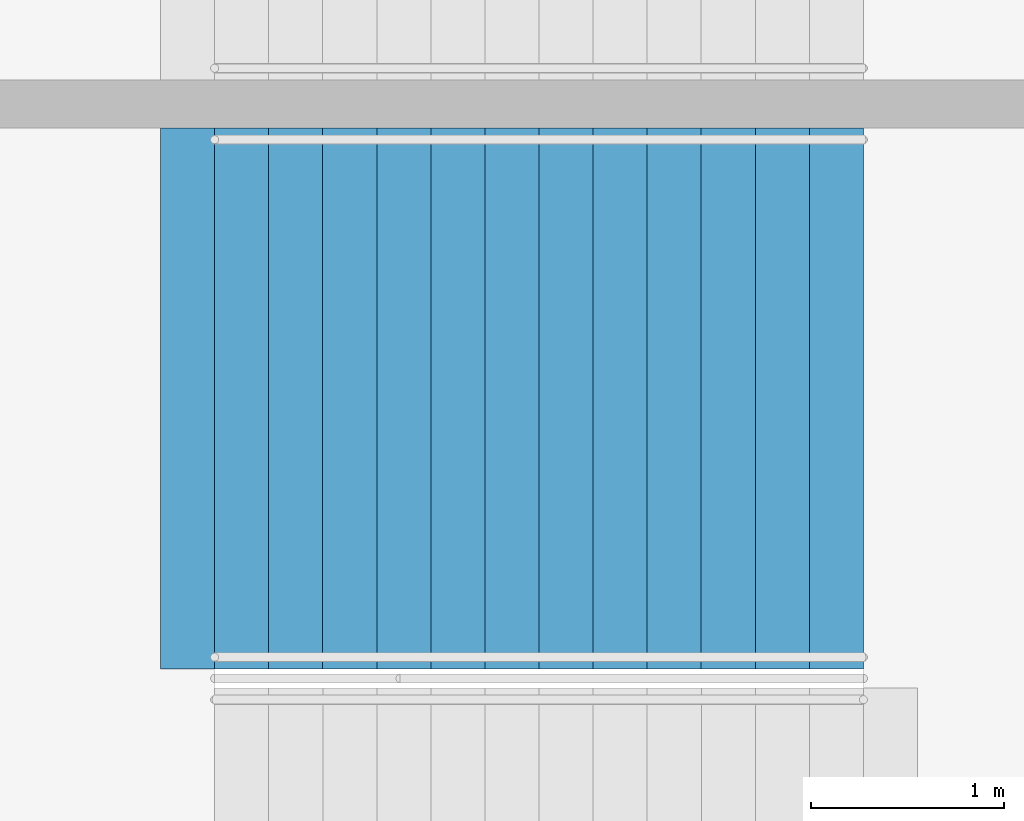
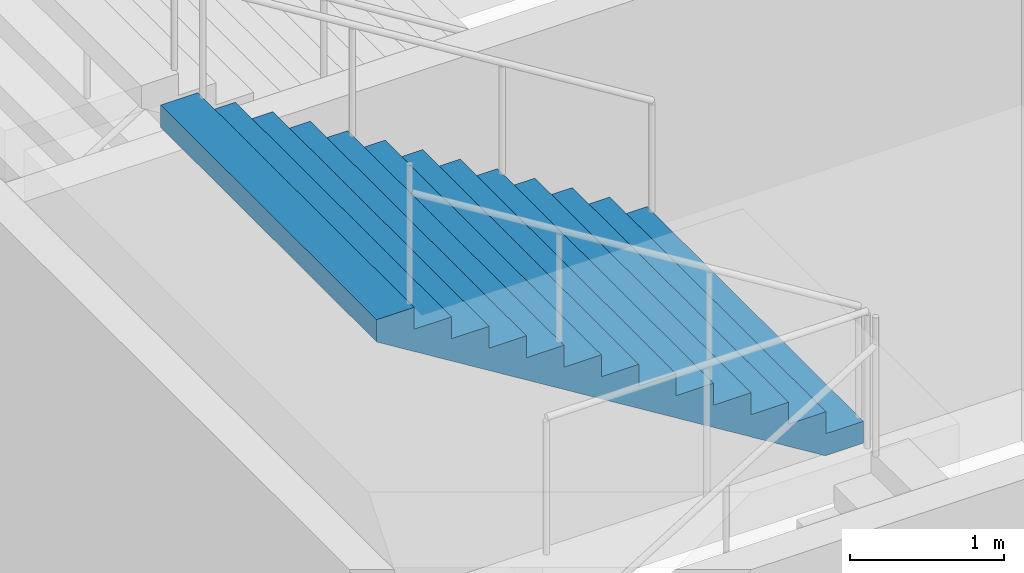
# One storey, part 147 of 199: 1 stair flight, 1 element without a shape of its own.
"""IFC4 building model written with IfcOpenShell, lengths in metres."""

from ifc_helpers import new_model, si_unit, direction, frame, origin, place, context, subcontext, project, spatial, faceted_brep, material, type_object, element, aggregate, save


model = new_model("IFC4")

# Units and contexts
model_context = context("Model", 3, precision=1e-05, world=origin(), true_north=direction((0.0, 1.0)))
body_context = subcontext(model_context, "Body", "Model", "MODEL_VIEW")
ifc_project = project(units=[si_unit("LENGTHUNIT", "METRE"), si_unit("AREAUNIT", "SQUARE_METRE"), si_unit("VOLUMEUNIT", "CUBIC_METRE"), si_unit("PLANEANGLEUNIT", "RADIAN"), si_unit("MASSUNIT", "GRAM", prefix="KILO")], contexts=[model_context])

# Site, building, storey
site_placement = place(None, origin())
site = spatial("IfcSite", under=ifc_project, at=site_placement, CompositionType="ELEMENT")
building_placement = place(site_placement, origin())
building = spatial("IfcBuilding", under=site, at=building_placement, Name="Ogive Plaza Stadium", CompositionType="ELEMENT")
storey_placement = place(building_placement, frame((0.0, 0.0, 9.0)))
storey = spatial("IfcBuildingStorey", under=building, at=storey_placement, Name="L02", CompositionType="ELEMENT", Elevation=9.0)

# Stair, stair flight
ifc_material_1 = material(Name="Concrete C40/50", Category="concrete")
stair_type = type_object("IfcStairType", Name="Exit stair", PredefinedType="STRAIGHT_RUN_STAIR", material=ifc_material_1)
stair_placement = place(storey_placement, origin())
stair = element("IfcStair", 1, at=stair_placement, inside=storey, type_object=stair_type, Name="Exit stair ST04A L02 to L03", PredefinedType="STRAIGHT_RUN_STAIR")
ifc_material_2 = material(Name="Concrete C40/50", Category="concrete")
stair_flight_type = type_object("IfcStairFlightType", Name="Exit stair flight", PredefinedType="STRAIGHT", material=ifc_material_2)
stair_flight_placement = place(storey_placement, frame((79.7099609375, 5.97509765625, 2.25), z_axis=(0.0, 0.0, 1.0), x_axis=(-1.0, 0.0, 0.0)))
stair_flight = element("IfcStairFlight", 2, at=stair_flight_placement, type_object=stair_flight_type, Name="ST04A flight 2", NumberOfRisers=13, NumberOfTreads=12, PredefinedType="STRAIGHT", RiserHeight=0.173076923, TreadLength=0.28, context=body_context, shape_type="Brep", body=[
    faceted_brep([(0.28515625, -1.39990234375, 0.0), (3.639892578125, -1.39990234375, 2.07373046875), (3.639892578125, -1.39990234375, 2.25), (3.360107421875, -1.39990234375, 2.25), (3.360107421875, -1.39990234375, 2.076904296875), (3.080078125, -1.39990234375, 2.076904296875), (3.080078125, -1.39990234375, 1.90380859375), (2.800048828125, -1.39990234375, 1.90380859375), (2.800048828125, -1.39990234375, 1.730712890625), (2.52001953125, -1.39990234375, 1.730712890625), (2.52001953125, -1.39990234375, 1.5576171875), (2.239990234375, -1.39990234375, 1.5576171875), (2.239990234375, -1.39990234375, 1.384521484375), (1.9599609375, -1.39990234375, 1.384521484375), (1.9599609375, -1.39990234375, 1.21142578125), (1.679931640625, -1.39990234375, 1.21142578125), (1.679931640625, -1.39990234375, 1.03857421875), (1.39990234375, -1.39990234375, 1.03857421875), (1.39990234375, -1.39990234375, 0.865478515625), (1.1201171875, -1.39990234375, 0.865478515625), (1.1201171875, -1.39990234375, 0.6923828125), (0.840087890625, -1.39990234375, 0.6923828125), (0.840087890625, -1.39990234375, 0.519287109375), (0.56005859375, -1.39990234375, 0.519287109375), (0.56005859375, -1.39990234375, 0.34619140625), (0.280029296875, -1.39990234375, 0.34619140625), (0.280029296875, -1.39990234375, 0.173095703125), (0.0, -1.39990234375, 0.173095703125), (0.0, -1.39990234375, 0.0), (0.0, 1.39990234375, 0.0), (0.0, 1.39990234375, 0.173095703125), (0.280029296875, 1.39990234375, 0.173095703125), (0.280029296875, 1.39990234375, 0.34619140625), (0.56005859375, 1.39990234375, 0.34619140625), (0.56005859375, 1.39990234375, 0.519287109375), (0.840087890625, 1.39990234375, 0.519287109375), (0.840087890625, 1.39990234375, 0.6923828125), (1.1201171875, 1.39990234375, 0.6923828125), (1.1201171875, 1.39990234375, 0.865478515625), (1.39990234375, 1.39990234375, 0.865478515625), (1.39990234375, 1.39990234375, 1.03857421875), (1.679931640625, 1.39990234375, 1.03857421875), (1.679931640625, 1.39990234375, 1.21142578125), (1.9599609375, 1.39990234375, 1.21142578125), (1.9599609375, 1.39990234375, 1.384521484375), (2.239990234375, 1.39990234375, 1.384521484375), (2.239990234375, 1.39990234375, 1.5576171875), (2.52001953125, 1.39990234375, 1.5576171875), (2.52001953125, 1.39990234375, 1.730712890625), (2.800048828125, 1.39990234375, 1.730712890625), (2.800048828125, 1.39990234375, 1.90380859375), (3.080078125, 1.39990234375, 1.90380859375), (3.080078125, 1.39990234375, 2.076904296875), (3.360107421875, 1.39990234375, 2.076904296875), (3.360107421875, 1.39990234375, 2.25), (3.639892578125, 1.39990234375, 2.25), (3.639892578125, 1.39990234375, 2.07373046875), (0.28515625, 1.39990234375, 0.0), (0.28515625, -1.0888671875, 0.0), (3.639892578125, -1.0888671875, 2.07373046875), (0.28515625, -0.77783203125, 0.0), (3.639892578125, -0.77783203125, 2.07373046875), (0.28515625, -0.466796875, 0.0), (3.639892578125, -0.466796875, 2.07373046875), (0.28515625, -0.155517578125, 0.0), (3.639892578125, -0.155517578125, 2.07373046875), (0.28515625, 0.155517578125, 0.0), (3.639892578125, 0.155517578125, 2.07373046875), (0.28515625, 0.466796875, 0.0), (3.639892578125, 0.466796875, 2.07373046875), (0.28515625, 0.77783203125, 0.0), (3.639892578125, 0.77783203125, 2.07373046875), (0.28515625, 1.0888671875, 0.0), (3.639892578125, 1.0888671875, 2.07373046875), (3.639892578125, -1.0888671875, 2.25), (3.639892578125, -0.77783203125, 2.25), (3.639892578125, -0.466796875, 2.25), (3.639892578125, -0.155517578125, 2.25), (3.639892578125, 0.155517578125, 2.25), (3.639892578125, 0.466796875, 2.25), (3.639892578125, 0.77783203125, 2.25), (3.639892578125, 1.0888671875, 2.25), (3.360107421875, -1.0888671875, 2.25), (3.360107421875, -0.77783203125, 2.25), (3.360107421875, -0.466796875, 2.25), (3.360107421875, -0.155517578125, 2.25), (3.360107421875, 0.155517578125, 2.25), (3.360107421875, 0.466796875, 2.25), (3.360107421875, 0.77783203125, 2.25), (3.360107421875, 1.0888671875, 2.25), (3.360107421875, -1.0888671875, 2.076904296875), (3.360107421875, -0.77783203125, 2.076904296875), (3.360107421875, -0.466796875, 2.076904296875), (3.360107421875, -0.155517578125, 2.076904296875), (3.360107421875, 0.155517578125, 2.076904296875), (3.360107421875, 0.466796875, 2.076904296875), (3.360107421875, 0.77783203125, 2.076904296875), (3.360107421875, 1.0888671875, 2.076904296875), (3.080078125, -1.0888671875, 2.076904296875), (3.080078125, -0.77783203125, 2.076904296875), (3.080078125, -0.466796875, 2.076904296875), (3.080078125, -0.155517578125, 2.076904296875), (3.080078125, 0.155517578125, 2.076904296875), (3.080078125, 0.466796875, 2.076904296875), (3.080078125, 0.77783203125, 2.076904296875), (3.080078125, 1.0888671875, 2.076904296875), (3.080078125, -1.0888671875, 1.90380859375), (3.080078125, -0.77783203125, 1.90380859375), (3.080078125, -0.466796875, 1.90380859375), (3.080078125, -0.155517578125, 1.90380859375), (3.080078125, 0.155517578125, 1.90380859375), (3.080078125, 0.466796875, 1.90380859375), (3.080078125, 0.77783203125, 1.90380859375), (3.080078125, 1.0888671875, 1.90380859375), (2.800048828125, -1.0888671875, 1.90380859375), (2.800048828125, -0.77783203125, 1.90380859375), (2.800048828125, -0.466796875, 1.90380859375), (2.800048828125, -0.155517578125, 1.90380859375), (2.800048828125, 0.155517578125, 1.90380859375), (2.800048828125, 0.466796875, 1.90380859375), (2.800048828125, 0.77783203125, 1.90380859375), (2.800048828125, 1.0888671875, 1.90380859375), (2.800048828125, -1.0888671875, 1.730712890625), (2.800048828125, -0.77783203125, 1.730712890625), (2.800048828125, -0.466796875, 1.730712890625), (2.800048828125, -0.155517578125, 1.730712890625), (2.800048828125, 0.155517578125, 1.730712890625), (2.800048828125, 0.466796875, 1.730712890625), (2.800048828125, 0.77783203125, 1.730712890625), (2.800048828125, 1.0888671875, 1.730712890625), (2.52001953125, -1.0888671875, 1.730712890625), (2.52001953125, -0.77783203125, 1.730712890625), (2.52001953125, -0.466796875, 1.730712890625), (2.52001953125, -0.155517578125, 1.730712890625), (2.52001953125, 0.155517578125, 1.730712890625), (2.52001953125, 0.466796875, 1.730712890625), (2.52001953125, 0.77783203125, 1.730712890625), (2.52001953125, 1.0888671875, 1.730712890625), (2.52001953125, -1.0888671875, 1.5576171875), (2.52001953125, -0.77783203125, 1.5576171875), (2.52001953125, -0.466796875, 1.5576171875), (2.52001953125, -0.155517578125, 1.5576171875), (2.52001953125, 0.155517578125, 1.5576171875), (2.52001953125, 0.466796875, 1.5576171875), (2.52001953125, 0.77783203125, 1.5576171875), (2.52001953125, 1.0888671875, 1.5576171875), (2.239990234375, -1.0888671875, 1.5576171875), (2.239990234375, -0.77783203125, 1.5576171875), (2.239990234375, -0.466796875, 1.5576171875), (2.239990234375, -0.155517578125, 1.5576171875), (2.239990234375, 0.155517578125, 1.5576171875), (2.239990234375, 0.466796875, 1.5576171875), (2.239990234375, 0.77783203125, 1.5576171875), (2.239990234375, 1.0888671875, 1.5576171875), (2.239990234375, -1.0888671875, 1.384521484375), (2.239990234375, -0.77783203125, 1.384521484375), (2.239990234375, -0.466796875, 1.384521484375), (2.239990234375, -0.155517578125, 1.384521484375), (2.239990234375, 0.155517578125, 1.384521484375), (2.239990234375, 0.466796875, 1.384521484375), (2.239990234375, 0.77783203125, 1.384521484375), (2.239990234375, 1.0888671875, 1.384521484375), (1.9599609375, -1.0888671875, 1.384521484375), (1.9599609375, -0.77783203125, 1.384521484375), (1.9599609375, -0.466796875, 1.384521484375), (1.9599609375, -0.155517578125, 1.384521484375), (1.9599609375, 0.155517578125, 1.384521484375), (1.9599609375, 0.466796875, 1.384521484375), (1.9599609375, 0.77783203125, 1.384521484375), (1.9599609375, 1.0888671875, 1.384521484375), (1.9599609375, -1.0888671875, 1.21142578125), (1.9599609375, -0.77783203125, 1.21142578125), (1.9599609375, -0.466796875, 1.21142578125), (1.9599609375, -0.155517578125, 1.21142578125), (1.9599609375, 0.155517578125, 1.21142578125), (1.9599609375, 0.466796875, 1.21142578125), (1.9599609375, 0.77783203125, 1.21142578125), (1.9599609375, 1.0888671875, 1.21142578125), (1.679931640625, -1.0888671875, 1.21142578125), (1.679931640625, -0.77783203125, 1.21142578125), (1.679931640625, -0.466796875, 1.21142578125), (1.679931640625, -0.155517578125, 1.21142578125), (1.679931640625, 0.155517578125, 1.21142578125), (1.679931640625, 0.466796875, 1.21142578125), (1.679931640625, 0.77783203125, 1.21142578125), (1.679931640625, 1.0888671875, 1.21142578125), (1.679931640625, -1.0888671875, 1.03857421875), (1.679931640625, -0.77783203125, 1.03857421875), (1.679931640625, -0.466796875, 1.03857421875), (1.679931640625, -0.155517578125, 1.03857421875), (1.679931640625, 0.155517578125, 1.03857421875), (1.679931640625, 0.466796875, 1.03857421875), (1.679931640625, 0.77783203125, 1.03857421875), (1.679931640625, 1.0888671875, 1.03857421875), (1.39990234375, -1.0888671875, 1.03857421875), (1.39990234375, -0.77783203125, 1.03857421875), (1.39990234375, -0.466796875, 1.03857421875), (1.39990234375, -0.155517578125, 1.03857421875), (1.39990234375, 0.155517578125, 1.03857421875), (1.39990234375, 0.466796875, 1.03857421875), (1.39990234375, 0.77783203125, 1.03857421875), (1.39990234375, 1.0888671875, 1.03857421875), (1.39990234375, -1.0888671875, 0.865478515625), (1.39990234375, -0.77783203125, 0.865478515625), (1.39990234375, -0.466796875, 0.865478515625), (1.39990234375, -0.155517578125, 0.865478515625), (1.39990234375, 0.155517578125, 0.865478515625), (1.39990234375, 0.466796875, 0.865478515625), (1.39990234375, 0.77783203125, 0.865478515625), (1.39990234375, 1.0888671875, 0.865478515625), (1.1201171875, -1.0888671875, 0.865478515625), (1.1201171875, -0.77783203125, 0.865478515625), (1.1201171875, -0.466796875, 0.865478515625), (1.1201171875, -0.155517578125, 0.865478515625), (1.1201171875, 0.155517578125, 0.865478515625), (1.1201171875, 0.466796875, 0.865478515625), (1.1201171875, 0.77783203125, 0.865478515625), (1.1201171875, 1.0888671875, 0.865478515625), (1.1201171875, -1.0888671875, 0.6923828125), (1.1201171875, -0.77783203125, 0.6923828125), (1.1201171875, -0.466796875, 0.6923828125), (1.1201171875, -0.155517578125, 0.6923828125), (1.1201171875, 0.155517578125, 0.6923828125), (1.1201171875, 0.466796875, 0.6923828125), (1.1201171875, 0.77783203125, 0.6923828125), (1.1201171875, 1.0888671875, 0.6923828125), (0.840087890625, -1.0888671875, 0.6923828125), (0.840087890625, -0.77783203125, 0.6923828125), (0.840087890625, -0.466796875, 0.6923828125), (0.840087890625, -0.155517578125, 0.6923828125), (0.840087890625, 0.155517578125, 0.6923828125), (0.840087890625, 0.466796875, 0.6923828125), (0.840087890625, 0.77783203125, 0.6923828125), (0.840087890625, 1.0888671875, 0.6923828125), (0.840087890625, -1.0888671875, 0.519287109375), (0.840087890625, -0.77783203125, 0.519287109375), (0.840087890625, -0.466796875, 0.519287109375), (0.840087890625, -0.155517578125, 0.519287109375), (0.840087890625, 0.155517578125, 0.519287109375), (0.840087890625, 0.466796875, 0.519287109375), (0.840087890625, 0.77783203125, 0.519287109375), (0.840087890625, 1.0888671875, 0.519287109375), (0.56005859375, -1.0888671875, 0.519287109375), (0.56005859375, -0.77783203125, 0.519287109375), (0.56005859375, -0.466796875, 0.519287109375), (0.56005859375, -0.155517578125, 0.519287109375), (0.56005859375, 0.155517578125, 0.519287109375), (0.56005859375, 0.466796875, 0.519287109375), (0.56005859375, 0.77783203125, 0.519287109375), (0.56005859375, 1.0888671875, 0.519287109375), (0.56005859375, -1.0888671875, 0.34619140625), (0.56005859375, -0.77783203125, 0.34619140625), (0.56005859375, -0.466796875, 0.34619140625), (0.56005859375, -0.155517578125, 0.34619140625), (0.56005859375, 0.155517578125, 0.34619140625), (0.56005859375, 0.466796875, 0.34619140625), (0.56005859375, 0.77783203125, 0.34619140625), (0.56005859375, 1.0888671875, 0.34619140625), (0.280029296875, -1.0888671875, 0.34619140625), (0.280029296875, -0.77783203125, 0.34619140625), (0.280029296875, -0.466796875, 0.34619140625), (0.280029296875, -0.155517578125, 0.34619140625), (0.280029296875, 0.155517578125, 0.34619140625), (0.280029296875, 0.466796875, 0.34619140625), (0.280029296875, 0.77783203125, 0.34619140625), (0.280029296875, 1.0888671875, 0.34619140625), (0.280029296875, -1.0888671875, 0.173095703125), (0.280029296875, -0.77783203125, 0.173095703125), (0.280029296875, -0.466796875, 0.173095703125), (0.280029296875, -0.155517578125, 0.173095703125), (0.280029296875, 0.155517578125, 0.173095703125), (0.280029296875, 0.466796875, 0.173095703125), (0.280029296875, 0.77783203125, 0.173095703125), (0.280029296875, 1.0888671875, 0.173095703125), (0.0, -1.0888671875, 0.173095703125), (0.0, -0.77783203125, 0.173095703125), (0.0, -0.466796875, 0.173095703125), (0.0, -0.155517578125, 0.173095703125), (0.0, 0.155517578125, 0.173095703125), (0.0, 0.466796875, 0.173095703125), (0.0, 0.77783203125, 0.173095703125), (0.0, 1.0888671875, 0.173095703125), (0.0, -1.0888671875, 0.0), (0.0, -0.77783203125, 0.0), (0.0, -0.466796875, 0.0), (0.0, -0.155517578125, 0.0), (0.0, 0.155517578125, 0.0), (0.0, 0.466796875, 0.0), (0.0, 0.77783203125, 0.0), (0.0, 1.0888671875, 0.0)], [[[0, 1, 2, 3, 4, 5, 6, 7, 8, 9, 10, 11, 12, 13, 14, 15, 16, 17, 18, 19, 20, 21, 22, 23, 24, 25, 26, 27, 28]], [[29, 30, 31, 32, 33, 34, 35, 36, 37, 38, 39, 40, 41, 42, 43, 44, 45, 46, 47, 48, 49, 50, 51, 52, 53, 54, 55, 56, 57]], [[0, 58, 59, 1]], [[58, 60, 61, 59]], [[60, 62, 63, 61]], [[62, 64, 65, 63]], [[64, 66, 67, 65]], [[66, 68, 69, 67]], [[68, 70, 71, 69]], [[70, 72, 73, 71]], [[72, 57, 56, 73]], [[1, 59, 74, 2]], [[59, 61, 75, 74]], [[61, 63, 76, 75]], [[63, 65, 77, 76]], [[65, 67, 78, 77]], [[67, 69, 79, 78]], [[69, 71, 80, 79]], [[71, 73, 81, 80]], [[73, 56, 55, 81]], [[2, 74, 82, 3]], [[74, 75, 83, 82]], [[75, 76, 84, 83]], [[76, 77, 85, 84]], [[77, 78, 86, 85]], [[78, 79, 87, 86]], [[79, 80, 88, 87]], [[80, 81, 89, 88]], [[81, 55, 54, 89]], [[3, 82, 90, 4]], [[82, 83, 91, 90]], [[83, 84, 92, 91]], [[84, 85, 93, 92]], [[85, 86, 94, 93]], [[86, 87, 95, 94]], [[87, 88, 96, 95]], [[88, 89, 97, 96]], [[89, 54, 53, 97]], [[4, 90, 98, 5]], [[90, 91, 99, 98]], [[91, 92, 100, 99]], [[92, 93, 101, 100]], [[93, 94, 102, 101]], [[94, 95, 103, 102]], [[95, 96, 104, 103]], [[96, 97, 105, 104]], [[97, 53, 52, 105]], [[5, 98, 106, 6]], [[98, 99, 107, 106]], [[99, 100, 108, 107]], [[100, 101, 109, 108]], [[101, 102, 110, 109]], [[102, 103, 111, 110]], [[103, 104, 112, 111]], [[104, 105, 113, 112]], [[105, 52, 51, 113]], [[6, 106, 114, 7]], [[106, 107, 115, 114]], [[107, 108, 116, 115]], [[108, 109, 117, 116]], [[109, 110, 118, 117]], [[110, 111, 119, 118]], [[111, 112, 120, 119]], [[112, 113, 121, 120]], [[113, 51, 50, 121]], [[7, 114, 122, 8]], [[114, 115, 123, 122]], [[115, 116, 124, 123]], [[116, 117, 125, 124]], [[117, 118, 126, 125]], [[118, 119, 127, 126]], [[119, 120, 128, 127]], [[120, 121, 129, 128]], [[121, 50, 49, 129]], [[8, 122, 130, 9]], [[122, 123, 131, 130]], [[123, 124, 132, 131]], [[124, 125, 133, 132]], [[125, 126, 134, 133]], [[126, 127, 135, 134]], [[127, 128, 136, 135]], [[128, 129, 137, 136]], [[129, 49, 48, 137]], [[9, 130, 138, 10]], [[130, 131, 139, 138]], [[131, 132, 140, 139]], [[132, 133, 141, 140]], [[133, 134, 142, 141]], [[134, 135, 143, 142]], [[135, 136, 144, 143]], [[136, 137, 145, 144]], [[137, 48, 47, 145]], [[10, 138, 146, 11]], [[138, 139, 147, 146]], [[139, 140, 148, 147]], [[140, 141, 149, 148]], [[141, 142, 150, 149]], [[142, 143, 151, 150]], [[143, 144, 152, 151]], [[144, 145, 153, 152]], [[145, 47, 46, 153]], [[11, 146, 154, 12]], [[146, 147, 155, 154]], [[147, 148, 156, 155]], [[148, 149, 157, 156]], [[149, 150, 158, 157]], [[150, 151, 159, 158]], [[151, 152, 160, 159]], [[152, 153, 161, 160]], [[153, 46, 45, 161]], [[12, 154, 162, 13]], [[154, 155, 163, 162]], [[155, 156, 164, 163]], [[156, 157, 165, 164]], [[157, 158, 166, 165]], [[158, 159, 167, 166]], [[159, 160, 168, 167]], [[160, 161, 169, 168]], [[161, 45, 44, 169]], [[13, 162, 170, 14]], [[162, 163, 171, 170]], [[163, 164, 172, 171]], [[164, 165, 173, 172]], [[165, 166, 174, 173]], [[166, 167, 175, 174]], [[167, 168, 176, 175]], [[168, 169, 177, 176]], [[169, 44, 43, 177]], [[14, 170, 178, 15]], [[170, 171, 179, 178]], [[171, 172, 180, 179]], [[172, 173, 181, 180]], [[173, 174, 182, 181]], [[174, 175, 183, 182]], [[175, 176, 184, 183]], [[176, 177, 185, 184]], [[177, 43, 42, 185]], [[15, 178, 186, 16]], [[178, 179, 187, 186]], [[179, 180, 188, 187]], [[180, 181, 189, 188]], [[181, 182, 190, 189]], [[182, 183, 191, 190]], [[183, 184, 192, 191]], [[184, 185, 193, 192]], [[185, 42, 41, 193]], [[16, 186, 194, 17]], [[186, 187, 195, 194]], [[187, 188, 196, 195]], [[188, 189, 197, 196]], [[189, 190, 198, 197]], [[190, 191, 199, 198]], [[191, 192, 200, 199]], [[192, 193, 201, 200]], [[193, 41, 40, 201]], [[17, 194, 202, 18]], [[194, 195, 203, 202]], [[195, 196, 204, 203]], [[196, 197, 205, 204]], [[197, 198, 206, 205]], [[198, 199, 207, 206]], [[199, 200, 208, 207]], [[200, 201, 209, 208]], [[201, 40, 39, 209]], [[18, 202, 210, 19]], [[202, 203, 211, 210]], [[203, 204, 212, 211]], [[204, 205, 213, 212]], [[205, 206, 214, 213]], [[206, 207, 215, 214]], [[207, 208, 216, 215]], [[208, 209, 217, 216]], [[209, 39, 38, 217]], [[19, 210, 218, 20]], [[210, 211, 219, 218]], [[211, 212, 220, 219]], [[212, 213, 221, 220]], [[213, 214, 222, 221]], [[214, 215, 223, 222]], [[215, 216, 224, 223]], [[216, 217, 225, 224]], [[217, 38, 37, 225]], [[20, 218, 226, 21]], [[218, 219, 227, 226]], [[219, 220, 228, 227]], [[220, 221, 229, 228]], [[221, 222, 230, 229]], [[222, 223, 231, 230]], [[223, 224, 232, 231]], [[224, 225, 233, 232]], [[225, 37, 36, 233]], [[21, 226, 234, 22]], [[226, 227, 235, 234]], [[227, 228, 236, 235]], [[228, 229, 237, 236]], [[229, 230, 238, 237]], [[230, 231, 239, 238]], [[231, 232, 240, 239]], [[232, 233, 241, 240]], [[233, 36, 35, 241]], [[22, 234, 242, 23]], [[234, 235, 243, 242]], [[235, 236, 244, 243]], [[236, 237, 245, 244]], [[237, 238, 246, 245]], [[238, 239, 247, 246]], [[239, 240, 248, 247]], [[240, 241, 249, 248]], [[241, 35, 34, 249]], [[23, 242, 250, 24]], [[242, 243, 251, 250]], [[243, 244, 252, 251]], [[244, 245, 253, 252]], [[245, 246, 254, 253]], [[246, 247, 255, 254]], [[247, 248, 256, 255]], [[248, 249, 257, 256]], [[249, 34, 33, 257]], [[24, 250, 258, 25]], [[250, 251, 259, 258]], [[251, 252, 260, 259]], [[252, 253, 261, 260]], [[253, 254, 262, 261]], [[254, 255, 263, 262]], [[255, 256, 264, 263]], [[256, 257, 265, 264]], [[257, 33, 32, 265]], [[25, 258, 266, 26]], [[258, 259, 267, 266]], [[259, 260, 268, 267]], [[260, 261, 269, 268]], [[261, 262, 270, 269]], [[262, 263, 271, 270]], [[263, 264, 272, 271]], [[264, 265, 273, 272]], [[265, 32, 31, 273]], [[26, 266, 274, 27]], [[266, 267, 275, 274]], [[267, 268, 276, 275]], [[268, 269, 277, 276]], [[269, 270, 278, 277]], [[270, 271, 279, 278]], [[271, 272, 280, 279]], [[272, 273, 281, 280]], [[273, 31, 30, 281]], [[27, 274, 282, 28]], [[274, 275, 283, 282]], [[275, 276, 284, 283]], [[276, 277, 285, 284]], [[277, 278, 286, 285]], [[278, 279, 287, 286]], [[279, 280, 288, 287]], [[280, 281, 289, 288]], [[281, 30, 29, 289]], [[28, 282, 58, 0]], [[282, 283, 60, 58]], [[283, 284, 62, 60]], [[284, 285, 64, 62]], [[285, 286, 66, 64]], [[286, 287, 68, 66]], [[287, 288, 70, 68]], [[288, 289, 72, 70]], [[289, 29, 57, 72]]]),
])
aggregate(stair, [stair_flight])

save(model, "model.ifc")
